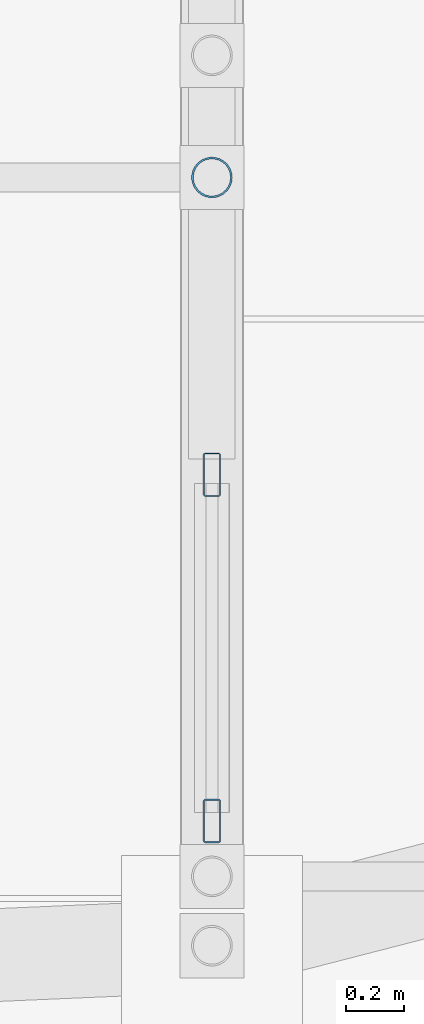
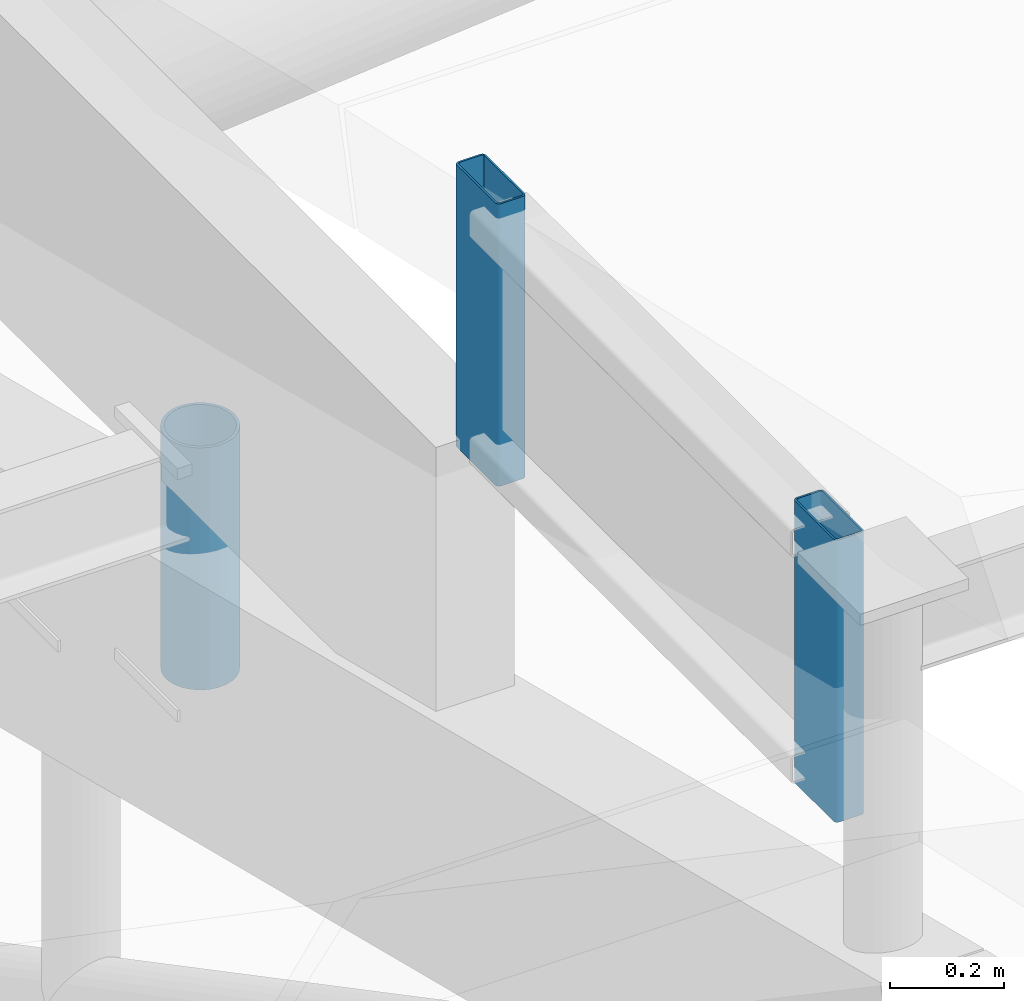
# One storey, part 146 of 188: 3 members, 1 element without a shape of its own.
"""IFC4 building model written with IfcOpenShell, lengths in metres."""

from ifc_helpers import new_model, si_unit, direction, frame, origin, origin_2d, place, context, subcontext, project, spatial, hollow_rectangle, hollow_circle, extrude, material, layer, layer_set, material_profile, profile_set, type_object, element, aggregate, save


model = new_model("IFC4")

# Units and contexts
model_context = context("Model", 3, precision=1e-05, world=origin(), true_north=direction((0.0, 1.0)))
body_context = subcontext(model_context, "Body", "Model", "MODEL_VIEW")
ifc_project = project(units=[si_unit("LENGTHUNIT", "METRE"), si_unit("AREAUNIT", "SQUARE_METRE"), si_unit("VOLUMEUNIT", "CUBIC_METRE"), si_unit("PLANEANGLEUNIT", "RADIAN"), si_unit("MASSUNIT", "GRAM", prefix="KILO")], contexts=[model_context])

# Site, building, storey
site_placement = place(None, origin())
site = spatial("IfcSite", under=ifc_project, at=site_placement, CompositionType="ELEMENT")
building_placement = place(site_placement, origin())
building = spatial("IfcBuilding", under=site, at=building_placement, Name="Kisaragi Civic Commons", CompositionType="ELEMENT")
storey_placement = place(building_placement, frame((0.0, 0.0, 9.60009765625)))
storey = spatial("IfcBuildingStorey", under=building, at=storey_placement, Name="L02", CompositionType="ELEMENT", Elevation=9.60009765625)

# Curtain wall, members
ifc_material_1 = material(Name="Thermally broken anodized aluminium and low-E double glazing", Category="aluminium")
ifc_layer = layer(ifc_material_1, 0.14990234375, Name="Thermally broken anodized aluminium and low-E double glazing", Category="aluminium")
ifc_layer_set = layer_set([ifc_layer], Name="Thermally broken anodized aluminium and low-E double glazing")
curtain_wall_type = type_object("IfcCurtainWallType", Name="CW-03", PredefinedType="NOTDEFINED", material=ifc_layer_set)
curtain_wall_placement = place(storey_placement, origin())
curtain_wall = element("IfcCurtainWall", 1, at=curtain_wall_placement, inside=storey, type_object=curtain_wall_type, Name="L02 curtain wall CW-03 CW-CL-V2-207", PredefinedType="NOTDEFINED")
ifc_material_profile_1 = material_profile(ifc_material_1, hollow_rectangle(XDim=0.06005859375, YDim=0.14990234375, WallThickness=0.00390625, InnerFilletRadius=0.00390625, OuterFilletRadius=0.008056640625, at=origin_2d()), Name="CWM-60x150x4", Category="aluminium")
ifc_profile_set_1 = profile_set([ifc_material_profile_1], Name="Thermally broken anodized aluminium and low-E double glazing")
member_type_1 = type_object("IfcMemberType", Name="CWM-01", PredefinedType="MULLION", material=ifc_profile_set_1)
member_1_placement = place(storey_placement, frame((27.199951171875, 108.972900390625, 2.589599609375), z_axis=(0.0, 0.0, 1.0), x_axis=(-1.0, 0.0, 0.0)))
member_1 = element("IfcMember", 2, at=member_1_placement, type_object=member_type_1, Name="CW-03 mullion 1", PredefinedType="MULLION", context=body_context, shape_type="SweptSolid", body=[
    extrude(hollow_rectangle(XDim=0.06005859375, YDim=0.14990234375, WallThickness=0.00390625, InnerFilletRadius=0.00390625, OuterFilletRadius=0.008056640625, at=origin_2d()), origin(), (0.0, 0.0, 1.0), 0.605224609375),
])
member_2_placement = place(storey_placement, frame((27.199951171875, 110.1611328125, 2.589599609375), z_axis=(0.0, 0.0, 1.0), x_axis=(-1.0, 0.0, 0.0)))
member_2 = element("IfcMember", 3, at=member_2_placement, type_object=member_type_1, Name="CW-03 mullion 2", PredefinedType="MULLION", context=body_context, shape_type="SweptSolid", body=[
    extrude(hollow_rectangle(XDim=0.06005859375, YDim=0.14990234375, WallThickness=0.00390625, InnerFilletRadius=0.00390625, OuterFilletRadius=0.008056640625, at=origin_2d()), origin(), (0.0, 0.0, 1.0), 0.605224609375),
])
aggregate(curtain_wall, [member_1, member_2])

# Member
ifc_material_2 = material(Name="Steel SN490 (SN490B)", Category="steel")
ifc_material_profile_2 = material_profile(ifc_material_2, hollow_circle(Radius=0.06982421875, WallThickness=0.006103515625, at=origin_2d()), Name="CHS-139.8x6.0", Category="steel")
ifc_profile_set_2 = profile_set([ifc_material_profile_2], Name="Steel SN490 (SN490B)")
member_type_2 = type_object("IfcMemberType", Name="ST-H1", PredefinedType="STRUT", material=ifc_profile_set_2)
member_3_placement = place(storey_placement, frame((27.199951171875, 111.18115234375, 1.529052734375), z_axis=(0.0, 0.0, 1.0), x_axis=(1.0, 0.0, 0.0)))
element("IfcMember", 4, at=member_3_placement, inside=storey, type_object=member_type_2, Name="V2 clerestory monitor horizontal tie strut 4.4.7", PredefinedType="STRUT", context=body_context, shape_type="SweptSolid", body=[
    extrude(hollow_circle(Radius=0.06982421875, WallThickness=0.006103515625, at=origin_2d()), origin(), (0.0, 0.0, 1.0), 0.51904296875),
])

save(model, "model.ifc")
